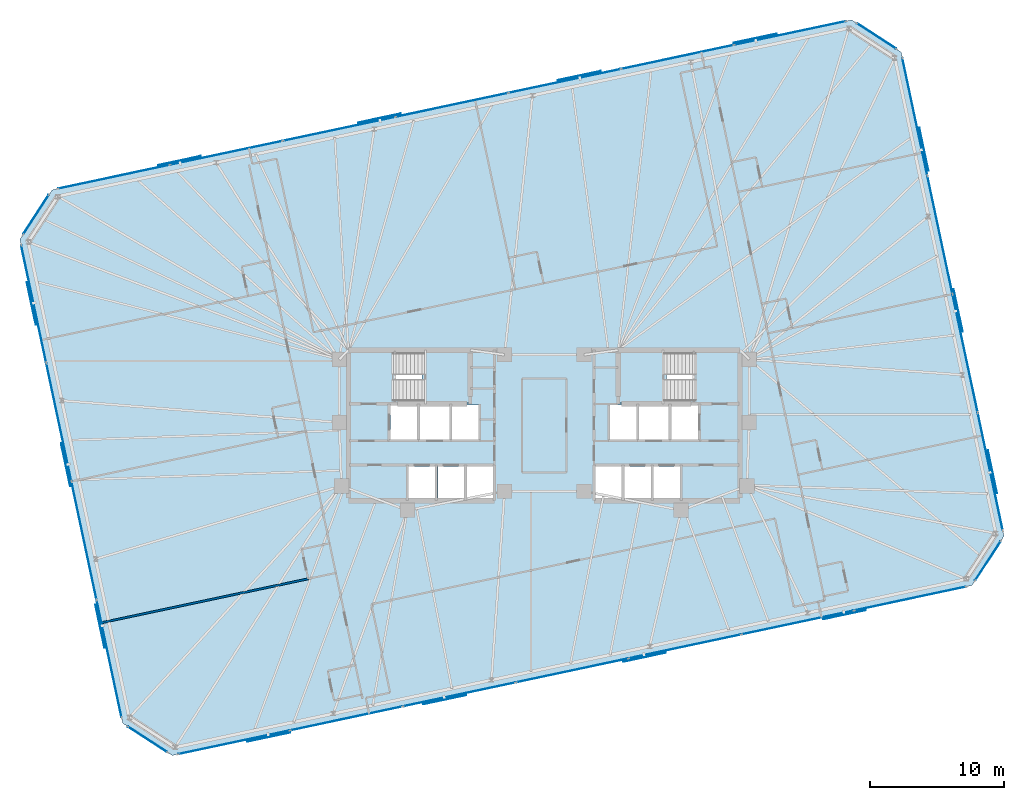
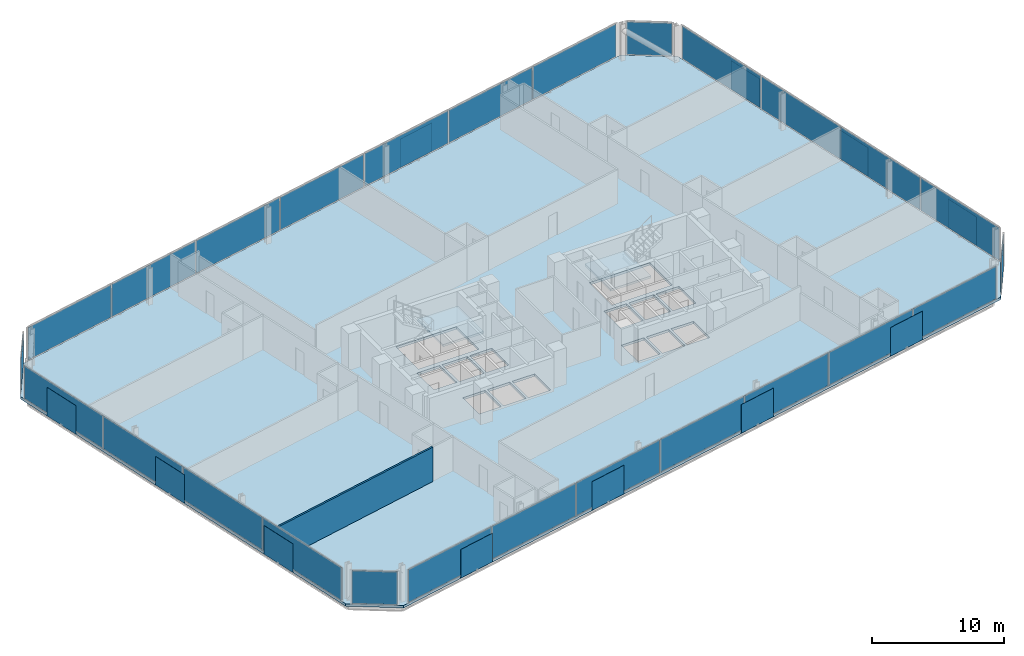
# One storey, part 13 of 19: 40 plates, 3 slabs, 1 wall, 10 elements without a shape of their own.
"""IFC4 building model written with IfcOpenShell, lengths in metres."""

from ifc_helpers import new_model, si_unit, direction, frame, frame_2d, origin, origin_2d, place, context, subcontext, project, spatial, polyline, rectangle, outline, extrude, material, layer, layer_set, type_object, element, aggregate, save


model = new_model("IFC4")

# Units and contexts
model_context = context("Model", 3, precision=1e-05, world=origin(), true_north=direction((0.0, 1.0)))
body_context = subcontext(model_context, "Body", "Model", "MODEL_VIEW")
ifc_project = project(units=[si_unit("LENGTHUNIT", "METRE"), si_unit("AREAUNIT", "SQUARE_METRE"), si_unit("VOLUMEUNIT", "CUBIC_METRE"), si_unit("PLANEANGLEUNIT", "RADIAN"), si_unit("MASSUNIT", "GRAM", prefix="KILO")], contexts=[model_context])

# Site, building, storey
site_placement = place(None, origin())
site = spatial("IfcSite", under=ifc_project, at=site_placement, CompositionType="ELEMENT")
building_placement = place(site_placement, origin())
building = spatial("IfcBuilding", under=site, at=building_placement, Name="Menara Jurai Vektor", CompositionType="ELEMENT")
storey_placement = place(building_placement, frame((0.0, 0.0, 192.199951171875)))
storey = spatial("IfcBuildingStorey", under=building, at=storey_placement, Name="L50", CompositionType="ELEMENT", Elevation=192.199951171875)

# Curtain wall, plates
ifc_material_1 = material(Name="Anodised Pale Aluminium & Low-E Double Glazing", Category="aluminium")
curtain_wall_type = type_object("IfcCurtainWallType", Name="CW-BLK3", PredefinedType="NOTDEFINED", material=ifc_material_1)
curtain_wall_1_placement = place(storey_placement, origin())
curtain_wall_1 = element("IfcCurtainWall", 1, at=curtain_wall_1_placement, inside=storey, type_object=curtain_wall_type, Name="Unitised Curtain Wall L50 F01", PredefinedType="NOTDEFINED")
ifc_material_2 = material(Name="Low-E Solar-Control Double Glazed Unit", Category="glass")
ifc_layer_1 = layer(ifc_material_2, 0.031982421875)
ifc_layer_set_1 = layer_set([ifc_layer_1], Name="Low-E Solar-Control Double Glazed Unit")
plate_type_1 = type_object("IfcPlateType", Name="CW-BLK3-PNL", PredefinedType="CURTAIN_PANEL", material=ifc_layer_set_1)
plate_1_placement = place(storey_placement, frame((-23.078369140625, -23.57568359375, 0.085205078125), z_axis=(0.0, 0.0, 1.0), x_axis=(0.978147674419, 0.207911344156, 0.0)))
plate_1 = element("IfcPlate", 2, at=plate_1_placement, type_object=plate_type_1, Name="CW-03 panel 1.1", PredefinedType="CURTAIN_PANEL", context=body_context, shape_type="SweptSolid", body=[
    extrude(rectangle(XDim=8.44970703125, YDim=0.031982421875, at=origin_2d()), origin(), (0.0, 0.0, 1.0), 3.0048828125),
])
plate_2_placement = place(storey_placement, frame((-14.709228515625, -21.796875, 0.085205078125), z_axis=(0.0, 0.0, 1.0), x_axis=(0.978147674419, 0.207911344156, 0.0)))
plate_2 = element("IfcPlate", 3, at=plate_2_placement, type_object=plate_type_1, Name="CW-03 panel 2.1", PredefinedType="CURTAIN_PANEL", context=body_context, shape_type="SweptSolid", body=[
    extrude(rectangle(XDim=8.4921875, YDim=0.031982421875, at=origin_2d()), origin(), (0.0, 0.0, 1.0), 3.0048828125),
])
plate_3_placement = place(storey_placement, frame((-6.319580078125, -20.013427734375, 0.085205078125), z_axis=(0.0, 0.0, 1.0), x_axis=(0.978147674419, 0.207911344156, 0.0)))
plate_3 = element("IfcPlate", 4, at=plate_3_placement, type_object=plate_type_1, Name="CW-03 panel 3.1", PredefinedType="CURTAIN_PANEL", context=body_context, shape_type="SweptSolid", body=[
    extrude(rectangle(XDim=8.4921875, YDim=0.031982421875, at=origin_2d()), origin(), (0.0, 0.0, 1.0), 3.0048828125),
])
plate_4_placement = place(storey_placement, frame((2.070068359375, -18.230224609375, 0.085205078125), z_axis=(0.0, 0.0, 1.0), x_axis=(0.978147674419, 0.207911344156, 0.0)))
plate_4 = element("IfcPlate", 5, at=plate_4_placement, type_object=plate_type_1, Name="CW-03 panel 4.1", PredefinedType="CURTAIN_PANEL", context=body_context, shape_type="SweptSolid", body=[
    extrude(rectangle(XDim=8.4921875, YDim=0.031982421875, at=origin_2d()), origin(), (0.0, 0.0, 1.0), 3.0048828125),
])
plate_5_placement = place(storey_placement, frame((10.459716796875, -16.447021484375, 0.085205078125), z_axis=(0.0, 0.0, 1.0), x_axis=(0.978147674419, 0.207911344156, 0.0)))
plate_5 = element("IfcPlate", 6, at=plate_5_placement, type_object=plate_type_1, Name="CW-03 panel 5.1", PredefinedType="CURTAIN_PANEL", context=body_context, shape_type="SweptSolid", body=[
    extrude(rectangle(XDim=8.4921875, YDim=0.031982421875, at=origin_2d()), origin(), (0.0, 0.0, 1.0), 3.0048828125),
])
plate_6_placement = place(storey_placement, frame((18.849609375, -14.66357421875, 0.085205078125), z_axis=(0.0, 0.0, 1.0), x_axis=(0.978147674419, 0.207911344156, 0.0)))
plate_6 = element("IfcPlate", 7, at=plate_6_placement, type_object=plate_type_1, Name="CW-03 panel 6.1", PredefinedType="CURTAIN_PANEL", context=body_context, shape_type="SweptSolid", body=[
    extrude(rectangle(XDim=8.4921875, YDim=0.031982421875, at=origin_2d()), origin(), (0.0, 0.0, 1.0), 3.0048828125),
])
plate_7_placement = place(storey_placement, frame((27.218505859375, -12.884765625, 0.085205078125), z_axis=(0.0, 0.0, 1.0), x_axis=(0.978147674419, 0.207911344156, 0.0)))
plate_7 = element("IfcPlate", 8, at=plate_7_placement, type_object=plate_type_1, Name="CW-03 panel 7.1", PredefinedType="CURTAIN_PANEL", context=body_context, shape_type="SweptSolid", body=[
    extrude(rectangle(XDim=8.44970703125, YDim=0.031982421875, at=origin_2d()), origin(), (0.0, 0.0, 1.0), 3.0048828125),
])
aggregate(curtain_wall_1, [plate_1, plate_2, plate_3, plate_4, plate_5, plate_6, plate_7])

curtain_wall_2_placement = place(storey_placement, origin())
curtain_wall_2 = element("IfcCurtainWall", 9, at=curtain_wall_2_placement, inside=storey, type_object=curtain_wall_type, Name="Unitised Curtain Wall L50 F03", PredefinedType="NOTDEFINED")
plate_8_placement = place(storey_placement, frame((33.17333984375, -3.433837890625, 0.085205078125), z_axis=(0.0, 0.0, 1.0), x_axis=(-0.20791035839, 0.978147883949, 0.0)))
plate_8 = element("IfcPlate", 10, at=plate_8_placement, type_object=plate_type_1, Name="CW-03 panel 1.1", PredefinedType="CURTAIN_PANEL", context=body_context, shape_type="SweptSolid", body=[
    extrude(rectangle(XDim=8.882568359375, YDim=0.031982421875, at=origin_2d()), origin(), (0.0, 0.0, 1.0), 3.0048828125),
])
plate_9_placement = place(storey_placement, frame((31.3046875, 5.3583984375, 0.085205078125), z_axis=(0.0, 0.0, 1.0), x_axis=(-0.20791035839, 0.978147883949, 0.0)))
plate_9 = element("IfcPlate", 11, at=plate_9_placement, type_object=plate_type_1, Name="CW-03 panel 2.1", PredefinedType="CURTAIN_PANEL", context=body_context, shape_type="SweptSolid", body=[
    extrude(rectangle(XDim=8.925048828125, YDim=0.031982421875, at=origin_2d()), origin(), (0.0, 0.0, 1.0), 3.0048828125),
])
plate_10_placement = place(storey_placement, frame((29.431396484375, 14.171630859375, 0.085205078125), z_axis=(0.0, 0.0, 1.0), x_axis=(-0.20791035839, 0.978147883949, 0.0)))
plate_10 = element("IfcPlate", 12, at=plate_10_placement, type_object=plate_type_1, Name="CW-03 panel 3.1", PredefinedType="CURTAIN_PANEL", context=body_context, shape_type="SweptSolid", body=[
    extrude(rectangle(XDim=8.925048828125, YDim=0.031982421875, at=origin_2d()), origin(), (0.0, 0.0, 1.0), 3.0048828125),
])
plate_11_placement = place(storey_placement, frame((27.5625, 22.9638671875, 0.085205078125), z_axis=(0.0, 0.0, 1.0), x_axis=(-0.20791035839, 0.978147883949, 0.0)))
plate_11 = element("IfcPlate", 13, at=plate_11_placement, type_object=plate_type_1, Name="CW-03 panel 4.1", PredefinedType="CURTAIN_PANEL", context=body_context, shape_type="SweptSolid", body=[
    extrude(rectangle(XDim=8.882568359375, YDim=0.031982421875, at=origin_2d()), origin(), (0.0, 0.0, 1.0), 3.0048828125),
])
aggregate(curtain_wall_2, [plate_8, plate_9, plate_10, plate_11])

curtain_wall_3_placement = place(storey_placement, origin())
curtain_wall_3 = element("IfcCurtainWall", 14, at=curtain_wall_3_placement, inside=storey, type_object=curtain_wall_type, Name="Unitised Curtain Wall L50 F05", PredefinedType="NOTDEFINED")
plate_12_placement = place(storey_placement, frame((18.2783203125, 29.175537109375, 0.085205078125), z_axis=(0.0, 0.0, 1.0), x_axis=(-0.978147674419, -0.207911344156, 0.0)))
plate_12 = element("IfcPlate", 15, at=plate_12_placement, type_object=plate_type_1, Name="CW-03 panel 1.1", PredefinedType="CURTAIN_PANEL", context=body_context, shape_type="SweptSolid", body=[
    extrude(rectangle(XDim=8.44970703125, YDim=0.031982421875, at=origin_2d()), origin(), (0.0, 0.0, 1.0), 3.0048828125),
])
plate_13_placement = place(storey_placement, frame((9.909423828125, 27.396728515625, 0.085205078125), z_axis=(0.0, 0.0, 1.0), x_axis=(-0.978147674419, -0.207911344156, 0.0)))
plate_13 = element("IfcPlate", 16, at=plate_13_placement, type_object=plate_type_1, Name="CW-03 panel 2.1", PredefinedType="CURTAIN_PANEL", context=body_context, shape_type="SweptSolid", body=[
    extrude(rectangle(XDim=8.4921875, YDim=0.031982421875, at=origin_2d()), origin(), (0.0, 0.0, 1.0), 3.0048828125),
])
plate_14_placement = place(storey_placement, frame((1.51953125, 25.613525390625, 0.085205078125), z_axis=(0.0, 0.0, 1.0), x_axis=(-0.978147674419, -0.207911344156, 0.0)))
plate_14 = element("IfcPlate", 17, at=plate_14_placement, type_object=plate_type_1, Name="CW-03 panel 3.1", PredefinedType="CURTAIN_PANEL", context=body_context, shape_type="SweptSolid", body=[
    extrude(rectangle(XDim=8.4921875, YDim=0.031982421875, at=origin_2d()), origin(), (0.0, 0.0, 1.0), 3.0048828125),
])
plate_15_placement = place(storey_placement, frame((-6.8701171875, 23.830078125, 0.085205078125), z_axis=(0.0, 0.0, 1.0), x_axis=(-0.978147674419, -0.207911344156, 0.0)))
plate_15 = element("IfcPlate", 18, at=plate_15_placement, type_object=plate_type_1, Name="CW-03 panel 4.1", PredefinedType="CURTAIN_PANEL", context=body_context, shape_type="SweptSolid", body=[
    extrude(rectangle(XDim=8.4921875, YDim=0.031982421875, at=origin_2d()), origin(), (0.0, 0.0, 1.0), 3.0048828125),
])
plate_16_placement = place(storey_placement, frame((-15.259765625, 22.046875, 0.085205078125), z_axis=(0.0, 0.0, 1.0), x_axis=(-0.978147674419, -0.207911344156, 0.0)))
plate_16 = element("IfcPlate", 19, at=plate_16_placement, type_object=plate_type_1, Name="CW-03 panel 5.1", PredefinedType="CURTAIN_PANEL", context=body_context, shape_type="SweptSolid", body=[
    extrude(rectangle(XDim=8.4921875, YDim=0.031982421875, at=origin_2d()), origin(), (0.0, 0.0, 1.0), 3.0048828125),
])
plate_17_placement = place(storey_placement, frame((-23.6494140625, 20.263671875, 0.085205078125), z_axis=(0.0, 0.0, 1.0), x_axis=(-0.978147674419, -0.207911344156, 0.0)))
plate_17 = element("IfcPlate", 20, at=plate_17_placement, type_object=plate_type_1, Name="CW-03 panel 6.1", PredefinedType="CURTAIN_PANEL", context=body_context, shape_type="SweptSolid", body=[
    extrude(rectangle(XDim=8.4921875, YDim=0.031982421875, at=origin_2d()), origin(), (0.0, 0.0, 1.0), 3.0048828125),
])
plate_18_placement = place(storey_placement, frame((-32.0185546875, 18.48486328125, 0.085205078125), z_axis=(0.0, 0.0, 1.0), x_axis=(-0.978147674419, -0.207911344156, 0.0)))
plate_18 = element("IfcPlate", 21, at=plate_18_placement, type_object=plate_type_1, Name="CW-03 panel 7.1", PredefinedType="CURTAIN_PANEL", context=body_context, shape_type="SweptSolid", body=[
    extrude(rectangle(XDim=8.44970703125, YDim=0.031982421875, at=origin_2d()), origin(), (0.0, 0.0, 1.0), 3.0048828125),
])
aggregate(curtain_wall_3, [plate_12, plate_13, plate_14, plate_15, plate_16, plate_17, plate_18])

curtain_wall_4_placement = place(storey_placement, origin())
curtain_wall_4 = element("IfcCurtainWall", 22, at=curtain_wall_4_placement, inside=storey, type_object=curtain_wall_type, Name="Unitised Curtain Wall L50 F07", PredefinedType="NOTDEFINED")
plate_19_placement = place(storey_placement, frame((-37.973388671875, 9.033935546875, 0.085205078125), z_axis=(0.0, 0.0, 1.0), x_axis=(0.20791035839, -0.978147883949, 0.0)))
plate_19 = element("IfcPlate", 23, at=plate_19_placement, type_object=plate_type_1, Name="CW-03 panel 1.1", PredefinedType="CURTAIN_PANEL", context=body_context, shape_type="SweptSolid", body=[
    extrude(rectangle(XDim=8.882568359375, YDim=0.031982421875, at=origin_2d()), origin(), (0.0, 0.0, 1.0), 3.0048828125),
])
plate_20_placement = place(storey_placement, frame((-36.1044921875, 0.241455078125, 0.085205078125), z_axis=(0.0, 0.0, 1.0), x_axis=(0.20791035839, -0.978147883949, 0.0)))
plate_20 = element("IfcPlate", 24, at=plate_20_placement, type_object=plate_type_1, Name="CW-03 panel 2.1", PredefinedType="CURTAIN_PANEL", context=body_context, shape_type="SweptSolid", body=[
    extrude(rectangle(XDim=8.925048828125, YDim=0.031982421875, at=origin_2d()), origin(), (0.0, 0.0, 1.0), 3.0048828125),
])
plate_21_placement = place(storey_placement, frame((-34.231201171875, -8.571533203125, 0.085205078125), z_axis=(0.0, 0.0, 1.0), x_axis=(0.20791035839, -0.978147883949, 0.0)))
plate_21 = element("IfcPlate", 25, at=plate_21_placement, type_object=plate_type_1, Name="CW-03 panel 3.1", PredefinedType="CURTAIN_PANEL", context=body_context, shape_type="SweptSolid", body=[
    extrude(rectangle(XDim=8.925048828125, YDim=0.031982421875, at=origin_2d()), origin(), (0.0, 0.0, 1.0), 3.0048828125),
])
plate_22_placement = place(storey_placement, frame((-32.362548828125, -17.364013671875, 0.085205078125), z_axis=(0.0, 0.0, 1.0), x_axis=(0.20791035839, -0.978147883949, 0.0)))
plate_22 = element("IfcPlate", 26, at=plate_22_placement, type_object=plate_type_1, Name="CW-03 panel 4.1", PredefinedType="CURTAIN_PANEL", context=body_context, shape_type="SweptSolid", body=[
    extrude(rectangle(XDim=8.882568359375, YDim=0.031982421875, at=origin_2d()), origin(), (0.0, 0.0, 1.0), 3.0048828125),
])
aggregate(curtain_wall_4, [plate_19, plate_20, plate_21, plate_22])

# Curtain wall, plate
curtain_wall_5_placement = place(storey_placement, origin())
curtain_wall_5 = element("IfcCurtainWall", 27, at=curtain_wall_5_placement, inside=storey, type_object=curtain_wall_type, Name="Unitised Curtain Wall L50 F02", PredefinedType="NOTDEFINED")
ifc_material_3 = material(Name="Insulated Pale Aluminium Spandrel Panel", Category="aluminium")
ifc_layer_2 = layer(ifc_material_3, 0.06005859375)
ifc_layer_set_2 = layer_set([ifc_layer_2], Name="Insulated Pale Aluminium Spandrel Panel")
plate_type_2 = type_object("IfcPlateType", Name="CW-PNL-SP", PredefinedType="CURTAIN_PANEL", material=ifc_layer_set_2)
plate_23_placement = place(storey_placement, frame((32.999755859375, -10.0712890625, 0.085205078125), z_axis=(0.0, 0.0, 1.0), x_axis=(0.544617794346, 0.838684361415, 0.0)))
plate_23 = element("IfcPlate", 28, at=plate_23_placement, type_object=plate_type_2, Name="CW-03 panel 1.1", PredefinedType="CURTAIN_PANEL", context=body_context, shape_type="SweptSolid", body=[
    extrude(rectangle(XDim=3.4541015625, YDim=0.06005859375, at=origin_2d()), origin(), (0.0, 0.0, 1.0), 3.0048828125),
])
aggregate(curtain_wall_5, [plate_23])

curtain_wall_6_placement = place(storey_placement, origin())
curtain_wall_6 = element("IfcCurtainWall", 29, at=curtain_wall_6_placement, inside=storey, type_object=curtain_wall_type, Name="Unitised Curtain Wall L50 F04", PredefinedType="NOTDEFINED")
plate_24_placement = place(storey_placement, frame((24.7041015625, 28.956787109375, 0.085205078125), z_axis=(0.0, 0.0, 1.0), x_axis=(-0.838684361415, 0.544617794346, 0.0)))
plate_24 = element("IfcPlate", 30, at=plate_24_placement, type_object=plate_type_2, Name="CW-03 panel 1.1", PredefinedType="CURTAIN_PANEL", context=body_context, shape_type="SweptSolid", body=[
    extrude(rectangle(XDim=3.4541015625, YDim=0.06005859375, at=origin_2d()), origin(), (0.0, 0.0, 1.0), 3.0048828125),
])
aggregate(curtain_wall_6, [plate_24])

curtain_wall_7_placement = place(storey_placement, origin())
curtain_wall_7 = element("IfcCurtainWall", 31, at=curtain_wall_7_placement, inside=storey, type_object=curtain_wall_type, Name="Unitised Curtain Wall L50 F06", PredefinedType="NOTDEFINED")
plate_25_placement = place(storey_placement, frame((-37.799560546875, 15.67138671875, 0.085205078125), z_axis=(0.0, 0.0, 1.0), x_axis=(-0.544617794346, -0.838684361415, 0.0)))
plate_25 = element("IfcPlate", 32, at=plate_25_placement, type_object=plate_type_2, Name="CW-03 panel 1.1", PredefinedType="CURTAIN_PANEL", context=body_context, shape_type="SweptSolid", body=[
    extrude(rectangle(XDim=3.4541015625, YDim=0.06005859375, at=origin_2d()), origin(), (0.0, 0.0, 1.0), 3.0048828125),
])
aggregate(curtain_wall_7, [plate_25])

curtain_wall_8_placement = place(storey_placement, origin())
curtain_wall_8 = element("IfcCurtainWall", 33, at=curtain_wall_8_placement, inside=storey, type_object=curtain_wall_type, Name="Unitised Curtain Wall L50 F08", PredefinedType="NOTDEFINED")
plate_26_placement = place(storey_placement, frame((-29.50390625, -23.35693359375, 0.085205078125), z_axis=(0.0, 0.0, 1.0), x_axis=(0.838684361415, -0.544617794346, 0.0)))
plate_26 = element("IfcPlate", 34, at=plate_26_placement, type_object=plate_type_2, Name="CW-03 panel 1.1", PredefinedType="CURTAIN_PANEL", context=body_context, shape_type="SweptSolid", body=[
    extrude(rectangle(XDim=3.4541015625, YDim=0.06005859375, at=origin_2d()), origin(), (0.0, 0.0, 1.0), 3.0048828125),
])
aggregate(curtain_wall_8, [plate_26])

# Plates
ifc_material_4 = material(Name="Anodised Pale Aluminium Perforated Screen", Category="aluminium")
ifc_layer_3 = layer(ifc_material_4, 0.02294921875)
ifc_layer_set_3 = layer_set([ifc_layer_3], Name="Anodised Pale Aluminium Perforated Screen")
plate_type_3 = type_object("IfcPlateType", Name="ENV-PLT-SCREEN-MID", PredefinedType="USERDEFINED", material=ifc_layer_set_3)
for number, where, z_axis, x_axis, name in (
    (35, (-20.495849609375, -23.190185546875, -0.0498046875), (0.0, 0.0, 1.0), (0.978147600734, 0.207911690818, 0.0), "Perforated Pale-Metal Solar Screen L50-S01"),
    (36, (-7.412109375, -20.4091796875, -0.0498046875), (0.0, 0.0, 1.0), (0.978147600734, 0.207911690818, 0.0), "Perforated Pale-Metal Solar Screen L50-S02"),
    (37, (7.455810546875, -17.2490234375, -0.0498046875), (0.0, 0.0, 1.0), (0.978147600734, 0.207911690818, 0.0), "Perforated Pale-Metal Solar Screen L50-S03"),
    (38, (22.323486328125, -14.0888671875, -0.0498046875), (0.0, 0.0, 1.0), (0.978147600734, 0.207911690818, 0.0), "Perforated Pale-Metal Solar Screen L50-S04"),
    (39, (33.342529296875, -3.460205078125, -0.0498046875), (0.0, 0.0, 1.0), (-0.207911690818, 0.978147600734, 0.0), "Perforated Pale-Metal Solar Screen L50-S05"),
    (40, (30.792236328125, 8.53857421875, -0.0498046875), (0.0, 0.0, 1.0), (-0.207911690818, 0.978147600734, 0.0), "Perforated Pale-Metal Solar Screen L50-S06"),
    (41, (28.241943359375, 20.537109375, -0.0498046875), (0.0, 0.0, 1.0), (-0.207911690818, 0.978147600734, 0.0), "Perforated Pale-Metal Solar Screen L50-S07"),
    (42, (15.69580078125, 28.790283203125, -0.0498046875), (0.0, 0.0, 1.0), (-0.978147600734, -0.207911690818, 0.0), "Perforated Pale-Metal Solar Screen L50-S08"),
    (43, (2.612060546875, 26.00927734375, -0.0498046875), (0.0, 0.0, 1.0), (-0.978147600734, -0.207911690818, 0.0), "Perforated Pale-Metal Solar Screen L50-S09"),
    (44, (-12.255859375, 22.84912109375, -0.0498046875), (0.0, 0.0, 1.0), (-0.978147600734, -0.207911690818, 0.0), "Perforated Pale-Metal Solar Screen L50-S10"),
    (45, (-27.12353515625, 19.688720703125, -0.0498046875), (0.0, 0.0, 1.0), (-0.978147600734, -0.207911690818, 0.0), "Perforated Pale-Metal Solar Screen L50-S11"),
    (46, (-38.142578125, 9.060302734375, -0.0498046875), (0.0, 0.0, 1.0), (0.207911690818, -0.978147600734, 0.0), "Perforated Pale-Metal Solar Screen L50-S12"),
    (47, (-35.59228515625, -2.9384765625, -0.0498046875), (0.0, 0.0, 1.0), (0.207911690818, -0.978147600734, 0.0), "Perforated Pale-Metal Solar Screen L50-S13"),
    (48, (-33.0419921875, -14.93701171875, -0.0498046875), (0.0, 0.0, 1.0), (0.207911690818, -0.978147600734, 0.0), "Perforated Pale-Metal Solar Screen L50-S14"),
):
    element("IfcPlate", number, at=place(storey_placement, frame(where, z_axis=z_axis, x_axis=x_axis)), inside=storey, type_object=plate_type_3, Name=name, ObjectType="SCREEN", PredefinedType="USERDEFINED", context=body_context, shape_type="SweptSolid", body=[
        extrude(rectangle(XDim=3.25, YDim=0.02294921875, at=origin_2d()), origin(), (0.0, 0.0, 1.0), 2.64990234375),
    ])

# Stair, slab
ifc_material_5 = material(Name="Concrete C40/50", Category="concrete")
stair_type = type_object("IfcStairType", Name="STAIR-DOGLEG-1500", PredefinedType="HALF_TURN_STAIR", material=ifc_material_5)
stair_1_placement = place(storey_placement, origin())
stair_1 = element("IfcStair", 49, at=stair_1_placement, inside=storey, type_object=stair_type, Name="Protected Exit Stair ST1 L50", PredefinedType="HALF_TURN_STAIR")
ifc_layer_4 = layer(ifc_material_5, 0.199951171875)
ifc_layer_set_4 = layer_set([ifc_layer_4], Name="Concrete C40/50")
slab_type_1 = type_object("IfcSlabType", Name="STAIR-LANDING-200", PredefinedType="LANDING", material=ifc_layer_set_4)
slab_1_placement = place(storey_placement, frame((0.0, 0.0, 1.5)))
slab_1 = element("IfcSlab", 50, at=slab_1_placement, type_object=slab_type_1, Name="ST1 landing 1", PredefinedType="LANDING", context=body_context, shape_type="SweptSolid", body=[
    extrude(outline(polyline([(-9.080078125, 1.64990234375), (-5.550048828125, 1.64990234375), (-5.550048828125, 5.550048828125), (-9.080078125, 5.550048828125), (-9.080078125, 1.64990234375)])), origin(), (0.0, 0.0, 1.0), 0.199951171875),
])
aggregate(stair_1, [slab_1])

stair_2_placement = place(storey_placement, origin())
stair_2 = element("IfcStair", 51, at=stair_2_placement, inside=storey, type_object=stair_type, Name="Protected Exit Stair ST2 L50", PredefinedType="HALF_TURN_STAIR")
slab_2_placement = place(storey_placement, frame((0.0, 0.0, 1.5)))
slab_2 = element("IfcSlab", 52, at=slab_2_placement, type_object=slab_type_1, Name="ST2 landing 1", PredefinedType="LANDING", context=body_context, shape_type="SweptSolid", body=[
    extrude(outline(polyline([(5.550048828125, 1.64990234375), (9.080078125, 1.64990234375), (9.080078125, 5.550048828125), (5.550048828125, 5.550048828125), (5.550048828125, 1.64990234375)])), origin(), (0.0, 0.0, 1.0), 0.199951171875),
])
aggregate(stair_2, [slab_2])

# Slab
ifc_layer_5 = layer(ifc_material_5, 0.22509765625)
ifc_layer_set_5 = layer_set([ifc_layer_5], Name="Concrete C40/50")
slab_type_2 = type_object("IfcSlabType", Name="STR-SLAB-TYP200", PredefinedType="FLOOR", material=ifc_layer_set_5)
slab_3_placement = place(storey_placement, frame((0.0, 0.0, -0.224853515625)))
element("IfcSlab", 53, at=slab_3_placement, inside=storey, type_object=slab_type_2, Name="Composite Floor Slab L50", PredefinedType="FLOOR", context=body_context, shape_type="SweptSolid", body=[
    extrude(outline(polyline([(-27.66552734375, -24.55078125), (31.805908203125, -11.90966796875), (34.193603515625, -8.23291015625), (26.54248046875, 27.762939453125), (22.865478515625, 30.150634765625), (-36.605712890625, 17.509765625), (-38.993408203125, 13.8330078125), (-31.34228515625, -22.1630859375), (-27.66552734375, -24.55078125)]), holes=[polyline([(-11.10009765625, 1.89990234375), (-11.10009765625, 5.300048828125), (-5.800048828125, 5.300048828125), (-5.800048828125, 1.89990234375), (-11.10009765625, 1.89990234375)]), polyline([(5.800048828125, 1.89990234375), (5.800048828125, 5.300048828125), (11.10009765625, 5.300048828125), (11.10009765625, 1.89990234375), (5.800048828125, 1.89990234375)]), polyline([(-11.449951171875, -1.050048828125), (-11.449951171875, 1.5), (-9.449951171875, 1.5), (-9.449951171875, -1.050048828125), (-11.449951171875, -1.050048828125)]), polyline([(9.449951171875, -1.050048828125), (9.449951171875, 1.5), (11.449951171875, 1.5), (11.449951171875, -1.050048828125), (9.449951171875, -1.050048828125)]), polyline([(-5.760009765625, -5.5), (-5.760009765625, -3.050048828125), (-3.800048828125, -3.050048828125), (-3.800048828125, -5.5), (-5.760009765625, -5.5)]), polyline([(-6.85009765625, -1.050048828125), (-6.85009765625, 1.5), (-4.889892578125, 1.5), (-4.889892578125, -1.050048828125), (-6.85009765625, -1.050048828125)]), polyline([(3.800048828125, -5.5), (3.800048828125, -3.050048828125), (5.760009765625, -3.050048828125), (5.760009765625, -5.5), (3.800048828125, -5.5)]), polyline([(4.889892578125, -1.050048828125), (4.889892578125, 1.5), (6.85009765625, 1.5), (6.85009765625, -1.050048828125), (4.889892578125, -1.050048828125)]), polyline([(-10.080078125, -5.5), (-10.080078125, -3.050048828125), (-8.1201171875, -3.050048828125), (-8.1201171875, -5.5), (-10.080078125, -5.5)]), polyline([(-7.919921875, -5.5), (-7.919921875, -3.050048828125), (-5.9599609375, -3.050048828125), (-5.9599609375, -5.5), (-7.919921875, -5.5)]), polyline([(5.9599609375, -5.5), (5.9599609375, -3.050048828125), (7.919921875, -3.050048828125), (7.919921875, -5.5), (5.9599609375, -5.5)]), polyline([(8.1201171875, -5.5), (8.1201171875, -3.050048828125), (10.080078125, -3.050048828125), (10.080078125, -5.5), (8.1201171875, -5.5)]), polyline([(-9.25, -1.050048828125), (-9.25, 1.5), (-7.050048828125, 1.5), (-7.050048828125, -1.050048828125), (-9.25, -1.050048828125)]), polyline([(7.050048828125, -1.050048828125), (7.050048828125, 1.5), (9.25, 1.5), (9.25, -1.050048828125), (7.050048828125, -1.050048828125)])]), origin(), (0.0, 0.0, 1.0), 0.224853515625),
])

# Wall
ifc_material_6 = material(Name="Gypsum Fireboard Partition", Category="gypsum")
ifc_layer_6 = layer(ifc_material_6, 0.14990234375)
ifc_layer_set_6 = layer_set([ifc_layer_6], Name="Gypsum Fireboard Partition")
wall_type = type_object("IfcWallType", Name="INT-WALL-CORR-150", PredefinedType="PARTITIONING", material=ifc_layer_set_6)
wall_placement = place(storey_placement, frame((-32.932861328125, -14.68017578125, 0.0), z_axis=(0.0, 0.0, 1.0), x_axis=(0.978146137903, 0.207918572776, 0.0)))
element("IfcWall", 54, at=wall_placement, inside=storey, type_object=wall_type, Name="Interior Wall IW-150 L50", PredefinedType="PARTITIONING", context=body_context, shape_type="SweptSolid", body=[
    extrude(rectangle(XDim=15.718017578125, YDim=0.14990234375, at=frame_2d((7.85888671875, 0.0))), origin(), (0.0, 0.0, 1.0), 3.175048828125),
])

save(model, "model.ifc")
